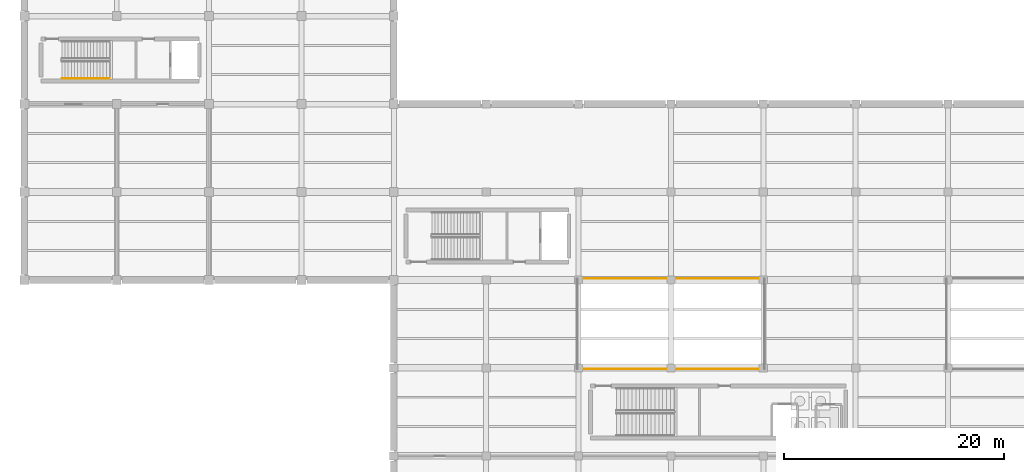
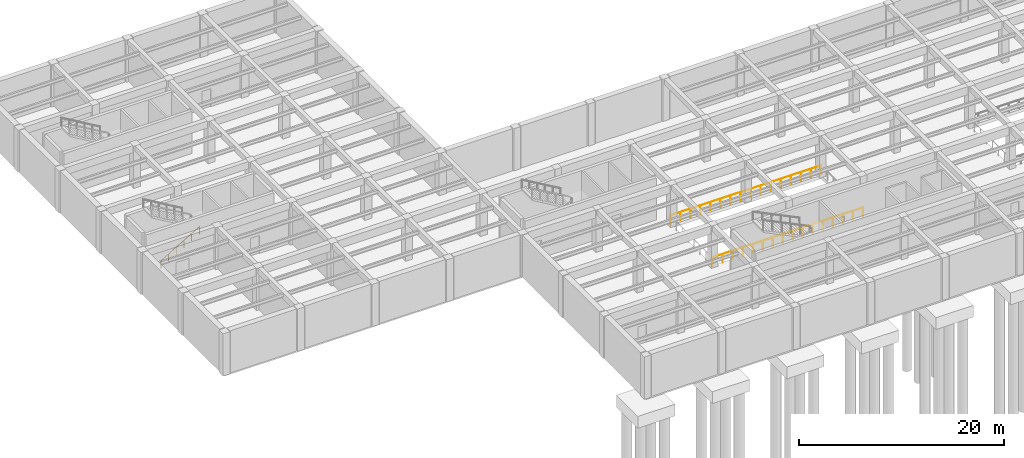
# One storey, part 12 of 16: 3 railings.
"""IFC4 building model written with IfcOpenShell, lengths in metres."""

import ifcopenshell
import ifcopenshell.guid

model = None  # the IFC model being written
_history = None  # IfcOwnerHistory: only IFC2X3 demands one
_inside = {}  # id of a spatial element -> (the spatial element, [elements in it])
_under = {}  # id of a project, library or spatial element -> (it, [spatial elements below it])
_declared = {}  # id of a project -> (the project, [libraries it declares])
_typed = {}  # id of a type object -> (the type object, [elements of that type])
_made_of = {}  # id of a material, layer set ... -> (it, [elements and type objects made of it])


def new_model(schema):
    """Start an empty IFC model of exactly this schema.

    Asked for "IFC4X3", IfcOpenShell would pick the latest addendum, in which some entities
    have other attributes; the version numbers below select the first issue.
    IFC2X3 requires an IfcOwnerHistory on every rooted entity: one is made here for all.
    """
    global model, _history
    if schema == "IFC4X3":
        model = ifcopenshell.file(schema_version=(4, 3, 0, 0))
    else:
        model = ifcopenshell.file(schema=schema)
    _inside.clear()
    _under.clear()
    _declared.clear()
    _typed.clear()
    _made_of.clear()
    _history = None
    if model.schema == "IFC2X3":
        org = make("IfcOrganization", Name="unknown")
        user = make(
            "IfcPersonAndOrganization",
            ThePerson=make("IfcPerson", FamilyName="unknown"),
            TheOrganization=org,
        )
        app = make(
            "IfcApplication",
            ApplicationDeveloper=org,
            Version="unknown",
            ApplicationFullName="unknown",
            ApplicationIdentifier="unknown",
        )
        _history = make(
            "IfcOwnerHistory",
            OwningUser=user,
            OwningApplication=app,
            ChangeAction="ADDED",
            CreationDate=0,
        )
    return model


def make(cls, **values):
    """One entity of the class cls with the attributes given. An attribute that is None is left unset."""
    return model.create_entity(
        cls, **{name: value for name, value in values.items() if value is not None}
    )


def rooted(cls, **values):
    """An entity with a GlobalId (a new one), such as an element, a storey or a relation."""
    return make(cls, GlobalId=ifcopenshell.guid.new(), OwnerHistory=_history, **values)


def si_unit(unit_type, name, prefix=None):
    """IfcSIUnit, for example si_unit("LENGTHUNIT", "METRE", prefix="MILLI")."""
    return make("IfcSIUnit", UnitType=unit_type, Prefix=prefix, Name=name)


def assignment(units):
    """IfcUnitAssignment: the units of a project."""
    return None if units is None else make("IfcUnitAssignment", Units=units)


def point(xyz):
    """IfcCartesianPoint."""
    return None if xyz is None else make("IfcCartesianPoint", Coordinates=xyz)


def direction(xyz):
    """IfcDirection."""
    return None if xyz is None else make("IfcDirection", DirectionRatios=xyz)


def frame(location, z_axis=None, x_axis=None):
    """IfcAxis2Placement3D, a coordinate frame: its origin and axes. An axis left out is left unset."""
    return make(
        "IfcAxis2Placement3D",
        Location=point(location),
        Axis=direction(z_axis),
        RefDirection=direction(x_axis),
    )


def frame_2d(location, x_axis=None):
    """IfcAxis2Placement2D, a coordinate frame in the plane: its origin and x axis."""
    return make(
        "IfcAxis2Placement2D", Location=point(location), RefDirection=direction(x_axis)
    )


def origin():
    """The frame at (0, 0, 0) with its axes left unset."""
    return frame((0.0, 0.0, 0.0))


def origin_2d():
    """The frame at (0, 0) in the plane with its x axis left unset."""
    return frame_2d((0.0, 0.0))


def place(relative_to, where):
    """IfcLocalPlacement: puts the frame where relative to a parent placement (None: the world)."""
    return make(
        "IfcLocalPlacement", PlacementRelTo=relative_to, RelativePlacement=where
    )


def context(
    kind, dimensions, precision=None, world=None, true_north=None, identifier=None
):
    """IfcGeometricRepresentationContext, for example the 3D "Model" context."""
    return make(
        "IfcGeometricRepresentationContext",
        ContextIdentifier=identifier,
        ContextType=kind,
        CoordinateSpaceDimension=dimensions,
        Precision=precision,
        WorldCoordinateSystem=world,
        TrueNorth=true_north,
    )


def subcontext(parent, identifier, kind, view, scale=None):
    """IfcGeometricRepresentationSubContext, for example "Body" below "Model"."""
    return make(
        "IfcGeometricRepresentationSubContext",
        ContextIdentifier=identifier,
        ContextType=kind,
        ParentContext=parent,
        TargetScale=scale,
        TargetView=view,
    )


def project(units=None, contexts=None):
    """IfcProject with its units and contexts."""
    return rooted(
        "IfcProject",
        Name="project",
        RepresentationContexts=contexts,
        UnitsInContext=assignment(units),
    )


def spatial(cls, under=None, at=None, **own):
    """A site, building, storey or space (cls), placed at a placement, below another one or the project."""
    s = rooted(cls, ObjectPlacement=at, **own)
    if under is not None:
        _under.setdefault(under.id(), (under, []))[1].append(s)
    return s


def profile(cls, at=None, kind="AREA", **sizes):
    """A parametric profile (cls). Its sizes go by their IFC names, for example OverallWidth=200.0."""
    return make(cls, ProfileType=kind, Position=at, **sizes)


def circle(**sizes):
    """IfcCircleProfileDef."""
    return profile("IfcCircleProfileDef", **sizes)


def extrude(swept, where, along, depth):
    """IfcExtrudedAreaSolid: the profile swept, set in the frame where, extruded along a direction by depth."""
    return make(
        "IfcExtrudedAreaSolid",
        SweptArea=swept,
        Position=where,
        ExtrudedDirection=direction(along),
        Depth=depth,
    )


def shape(context_of_items, identifier, shape_type, items):
    """IfcShapeRepresentation: the items that make up one representation, for example the "Body"."""
    return make(
        "IfcShapeRepresentation",
        ContextOfItems=context_of_items,
        RepresentationIdentifier=identifier,
        RepresentationType=shape_type,
        Items=items,
    )


def material(Name=None, Category=None):
    """IfcMaterial."""
    return make("IfcMaterial", Name=Name, Category=Category)


def made_of(thing, what):
    """Note that an element or type object is made of a material, layer set ...; save() writes the relation."""
    if what is not None:
        _made_of.setdefault(what.id(), (what, []))[1].append(thing)
    return thing


def type_object(cls, material=None, **own):
    """A type object (cls), such as IfcWallType, which elements share."""
    return made_of(rooted(cls, **own), material)


def element(
    cls,
    number,
    at=None,
    inside=None,
    cuts=None,
    type_object=None,
    material=None,
    context=None,
    identifier="Body",
    shape_type=None,
    held_by="IfcProductDefinitionShape",
    body=None,
    shapes=None,
    **own,
):
    """One element of the class cls, such as IfcWall. Its Tag is "e" and its number.

    at: its placement. inside: the storey or other place that contains it. cuts: it is an
    opening in that element (IfcRelVoidsElement). A single representation is given by context,
    identifier, shape_type and body (its items); several are given by shapes. held_by: the class
    of the entity that holds the representations. save() writes the other relations.
    """
    e = rooted(cls, Tag="e%d" % number, ObjectPlacement=at, **own)
    if body is not None:
        shapes = [shape(context, identifier, shape_type, body)]
    if shapes is not None:
        e.Representation = make(held_by, Representations=shapes)
    if inside is not None:
        _inside.setdefault(inside.id(), (inside, []))[1].append(e)
    if cuts is not None:
        rooted(
            "IfcRelVoidsElement", RelatingBuildingElement=cuts, RelatedOpeningElement=e
        )
    if type_object is not None:
        _typed.setdefault(type_object.id(), (type_object, []))[1].append(e)
    return made_of(e, material)


def aggregate(whole, parts):
    """IfcRelAggregates: a whole, such as a stair, and the parts it consists of."""
    return rooted("IfcRelAggregates", RelatingObject=whole, RelatedObjects=parts)


def save(model, path):
    """Write the relations noted so far, then the file.

    IfcRelAggregates (storeys below a building ...), IfcRelContainedInSpatialStructure (elements
    in a storey), IfcRelDefinesByType, IfcRelAssociatesMaterial and IfcRelDeclares: one each for
    every whole, place, type object, material and project.
    """
    for whole, parts in _under.values():
        aggregate(whole, parts)
    for where, things in _inside.values():
        rooted(
            "IfcRelContainedInSpatialStructure",
            RelatedElements=things,
            RelatingStructure=where,
        )
    for kind, things in _typed.values():
        rooted("IfcRelDefinesByType", RelatedObjects=things, RelatingType=kind)
    for what, things in _made_of.values():
        rooted("IfcRelAssociatesMaterial", RelatedObjects=things, RelatingMaterial=what)
    for by, libraries in _declared.values():
        rooted("IfcRelDeclares", RelatingContext=by, RelatedDefinitions=libraries)
    model.write(path)


model = new_model("IFC4")

# Units and contexts
model_context = context("Model", 3, precision=1e-05, world=origin(), true_north=direction((0.0, 1.0)))
body_context = subcontext(model_context, "Body", "Model", "MODEL_VIEW")
ifc_project = project(units=[si_unit("LENGTHUNIT", "METRE"), si_unit("AREAUNIT", "SQUARE_METRE"), si_unit("VOLUMEUNIT", "CUBIC_METRE"), si_unit("PLANEANGLEUNIT", "RADIAN"), si_unit("MASSUNIT", "GRAM", prefix="KILO")], contexts=[model_context])

# Site, building, storey
site_placement = place(None, origin())
site = spatial("IfcSite", under=ifc_project, at=site_placement, CompositionType="ELEMENT")
building_placement = place(site_placement, origin())
building = spatial("IfcBuilding", under=site, at=building_placement, Name="Kranzveld Transit Interchange", CompositionType="ELEMENT")
storey_placement = place(building_placement, frame((0.0, 0.0, -5.43994140625)))
storey = spatial("IfcBuildingStorey", under=building, at=storey_placement, Name="B1", CompositionType="ELEMENT", Elevation=-5.43994140625)

# Railings
ifc_material_1 = material(Name="Steel S355JR", Category="steel")
railing_type_1 = type_object("IfcRailingType", Name="Atrium Void Guardrail 1100", PredefinedType="GUARDRAIL", material=ifc_material_1)
railing_1_placement = place(storey_placement, frame((67.280029296875, 48.1201171875, 0.0)))
element("IfcRailing", 1, at=railing_1_placement, inside=storey, type_object=railing_type_1, Name="B1 Atrium Void Guardrail VOID_B1_METRO_W-14", PredefinedType="GUARDRAIL", context=body_context, shape_type="SweptSolid", body=[
    extrude(circle(Radius=0.02392578125, at=origin_2d()), frame((0.0, 0.0, 1.076171875), z_axis=(-1.0, 0.0, 0.0), x_axis=(0.0, -1.0, 0.0)), (0.0, 0.0, 1.0), 16.9599609375),
    extrude(circle(Radius=0.02099609375, at=origin_2d()), origin(), (0.0, 0.0, 1.0), 1.050048828125),
    extrude(circle(Radius=0.02099609375, at=origin_2d()), frame((-1.130615234375, 0.0, 0.0)), (0.0, 0.0, 1.0), 1.050048828125),
    extrude(circle(Radius=0.02099609375, at=origin_2d()), frame((-2.26123046875, 0.0, 0.0)), (0.0, 0.0, 1.0), 1.050048828125),
    extrude(circle(Radius=0.02099609375, at=origin_2d()), frame((-3.39208984375, 0.0, 0.0)), (0.0, 0.0, 1.0), 1.050048828125),
    extrude(circle(Radius=0.02099609375, at=origin_2d()), frame((-4.522705078125, 0.0, 0.0)), (0.0, 0.0, 1.0), 1.050048828125),
    extrude(circle(Radius=0.02099609375, at=origin_2d()), frame((-5.6533203125, 0.0, 0.0)), (0.0, 0.0, 1.0), 1.050048828125),
    extrude(circle(Radius=0.02099609375, at=origin_2d()), frame((-6.783935546875, 0.0, 0.0)), (0.0, 0.0, 1.0), 1.050048828125),
    extrude(circle(Radius=0.02099609375, at=origin_2d()), frame((-7.91455078125, 0.0, 0.0)), (0.0, 0.0, 1.0), 1.050048828125),
    extrude(circle(Radius=0.02099609375, at=origin_2d()), frame((-9.04541015625, 0.0, 0.0)), (0.0, 0.0, 1.0), 1.050048828125),
    extrude(circle(Radius=0.02099609375, at=origin_2d()), frame((-10.176025390625, 0.0, 0.0)), (0.0, 0.0, 1.0), 1.050048828125),
    extrude(circle(Radius=0.02099609375, at=origin_2d()), frame((-11.306640625, 0.0, 0.0)), (0.0, 0.0, 1.0), 1.050048828125),
    extrude(circle(Radius=0.02099609375, at=origin_2d()), frame((-12.437255859375, 0.0, 0.0)), (0.0, 0.0, 1.0), 1.050048828125),
    extrude(circle(Radius=0.02099609375, at=origin_2d()), frame((-13.56787109375, 0.0, 0.0)), (0.0, 0.0, 1.0), 1.050048828125),
    extrude(circle(Radius=0.02099609375, at=origin_2d()), frame((-14.69873046875, 0.0, 0.0)), (0.0, 0.0, 1.0), 1.050048828125),
    extrude(circle(Radius=0.02099609375, at=origin_2d()), frame((-15.829345703125, 0.0, 0.0)), (0.0, 0.0, 1.0), 1.050048828125),
    extrude(circle(Radius=0.02099609375, at=origin_2d()), frame((-16.9599609375, 0.0, 0.0)), (0.0, 0.0, 1.0), 1.050048828125),
])
railing_2_placement = place(storey_placement, frame((50.320068359375, 39.8798828125, 0.0)))
element("IfcRailing", 2, at=railing_2_placement, inside=storey, type_object=railing_type_1, Name="B1 Atrium Void Guardrail VOID_B1_METRO_W-16", PredefinedType="GUARDRAIL", context=body_context, shape_type="SweptSolid", body=[
    extrude(circle(Radius=0.02392578125, at=origin_2d()), frame((0.0, 0.0, 1.076171875), z_axis=(1.0, 0.0, 0.0), x_axis=(0.0, 1.0, 0.0)), (0.0, 0.0, 1.0), 16.9599609375),
    extrude(circle(Radius=0.02099609375, at=origin_2d()), origin(), (0.0, 0.0, 1.0), 1.050048828125),
    extrude(circle(Radius=0.02099609375, at=origin_2d()), frame((1.130615234375, 0.0, 0.0)), (0.0, 0.0, 1.0), 1.050048828125),
    extrude(circle(Radius=0.02099609375, at=origin_2d()), frame((2.26123046875, 0.0, 0.0)), (0.0, 0.0, 1.0), 1.050048828125),
    extrude(circle(Radius=0.02099609375, at=origin_2d()), frame((3.39208984375, 0.0, 0.0)), (0.0, 0.0, 1.0), 1.050048828125),
    extrude(circle(Radius=0.02099609375, at=origin_2d()), frame((4.522705078125, 0.0, 0.0)), (0.0, 0.0, 1.0), 1.050048828125),
    extrude(circle(Radius=0.02099609375, at=origin_2d()), frame((5.6533203125, 0.0, 0.0)), (0.0, 0.0, 1.0), 1.050048828125),
    extrude(circle(Radius=0.02099609375, at=origin_2d()), frame((6.783935546875, 0.0, 0.0)), (0.0, 0.0, 1.0), 1.050048828125),
    extrude(circle(Radius=0.02099609375, at=origin_2d()), frame((7.91455078125, 0.0, 0.0)), (0.0, 0.0, 1.0), 1.050048828125),
    extrude(circle(Radius=0.02099609375, at=origin_2d()), frame((9.04541015625, 0.0, 0.0)), (0.0, 0.0, 1.0), 1.050048828125),
    extrude(circle(Radius=0.02099609375, at=origin_2d()), frame((10.176025390625, 0.0, 0.0)), (0.0, 0.0, 1.0), 1.050048828125),
    extrude(circle(Radius=0.02099609375, at=origin_2d()), frame((11.306640625, 0.0, 0.0)), (0.0, 0.0, 1.0), 1.050048828125),
    extrude(circle(Radius=0.02099609375, at=origin_2d()), frame((12.437255859375, 0.0, 0.0)), (0.0, 0.0, 1.0), 1.050048828125),
    extrude(circle(Radius=0.02099609375, at=origin_2d()), frame((13.56787109375, 0.0, 0.0)), (0.0, 0.0, 1.0), 1.050048828125),
    extrude(circle(Radius=0.02099609375, at=origin_2d()), frame((14.69873046875, 0.0, 0.0)), (0.0, 0.0, 1.0), 1.050048828125),
    extrude(circle(Radius=0.02099609375, at=origin_2d()), frame((15.829345703125, 0.0, 0.0)), (0.0, 0.0, 1.0), 1.050048828125),
    extrude(circle(Radius=0.02099609375, at=origin_2d()), frame((16.9599609375, 0.0, 0.0)), (0.0, 0.0, 1.0), 1.050048828125),
])
ifc_material_2 = material(Name="Steel S355JR", Category="steel")
railing_type_2 = type_object("IfcRailingType", Name="Stair & Ramp Handrail Steel 900", PredefinedType="HANDRAIL", material=ifc_material_2)
railing_3_placement = place(storey_placement, frame((3.39990234375, 66.320068359375, 0.169921875)))
element("IfcRailing", 3, at=railing_3_placement, inside=storey, type_object=railing_type_2, Name="B1 ST-C1 stair handrail 1", PredefinedType="HANDRAIL", context=body_context, shape_type="SweptSolid", body=[
    extrude(circle(Radius=0.02392578125, at=origin_2d()), frame((0.0, 0.0, 0.8759765625), z_axis=(0.862698698498, 0.0, 0.505718257145), x_axis=(0.0, 1.0, 0.0)), (0.0, 0.0, 1.0), 5.04248046875),
    extrude(circle(Radius=0.02099609375, at=origin_2d()), origin(), (0.0, 0.0, 1.0), 0.849853515625),
    extrude(circle(Radius=0.02099609375, at=origin_2d()), frame((0.8701171875, 0.0, 0.510009765625)), (0.0, 0.0, 1.0), 0.849853515625),
    extrude(circle(Radius=0.02099609375, at=origin_2d()), frame((1.739990234375, 0.0, 1.02001953125)), (0.0, 0.0, 1.0), 0.849853515625),
    extrude(circle(Radius=0.02099609375, at=origin_2d()), frame((2.610107421875, 0.0, 1.530029296875)), (0.0, 0.0, 1.0), 0.849853515625),
    extrude(circle(Radius=0.02099609375, at=origin_2d()), frame((3.47998046875, 0.0, 2.0400390625)), (0.0, 0.0, 1.0), 0.849853515625),
    extrude(circle(Radius=0.02099609375, at=origin_2d()), frame((4.35009765625, 0.0, 2.550048828125)), (0.0, 0.0, 1.0), 0.849853515625),
])

save(model, "model.ifc")
